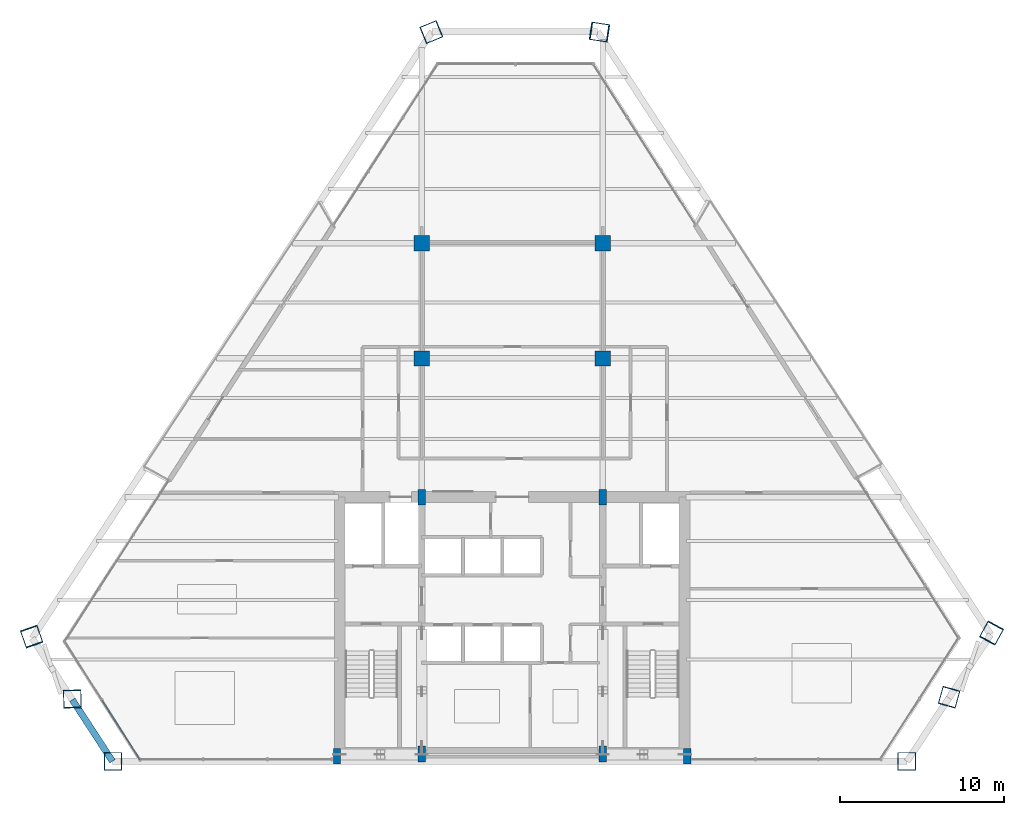
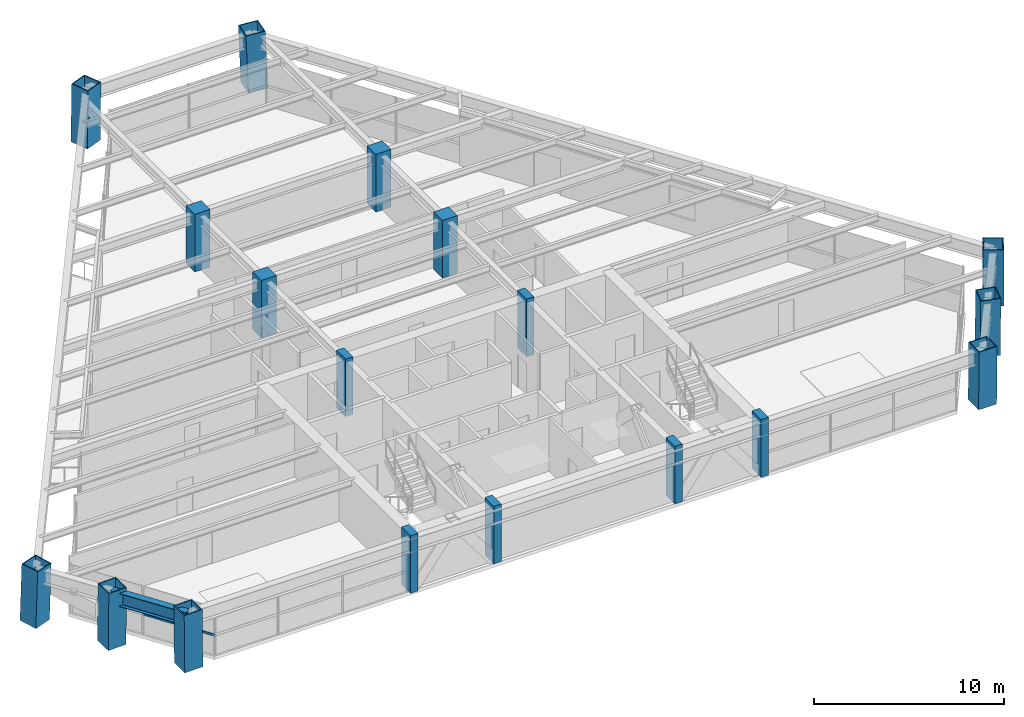
# One storey, part 1 of 15: 18 columns, 1 beam, 1 member, 1 element without a shape of its own.
"""IFC4 building model written with IfcOpenShell, lengths in metres."""

from ifc_helpers import new_model, si_unit, direction, frame, origin, origin_2d, place, context, subcontext, project, spatial, rectangle, hollow_rectangle, i_section, extrude, source, transform, mapped, material, material_profile, profile_set, type_object, element, aggregate, save


model = new_model("IFC4")

# Units and contexts
model_context = context("Model", 3, precision=1e-05, world=origin(), true_north=direction((0.0, 1.0)))
body_context = subcontext(model_context, "Body", "Model", "MODEL_VIEW")
ifc_project = project(units=[si_unit("LENGTHUNIT", "METRE"), si_unit("AREAUNIT", "SQUARE_METRE"), si_unit("VOLUMEUNIT", "CUBIC_METRE"), si_unit("PLANEANGLEUNIT", "RADIAN"), si_unit("MASSUNIT", "GRAM", prefix="KILO")], contexts=[model_context])

# Site, building, storey
site_placement = place(None, origin())
site = spatial("IfcSite", under=ifc_project, at=site_placement, CompositionType="ELEMENT")
building_placement = place(site_placement, origin())
building = spatial("IfcBuilding", under=site, at=building_placement, Name="Varnakhor Terracotta Tower", CompositionType="ELEMENT")
storey_placement = place(building_placement, frame((0.0, 0.0, 147.800048828125)))
storey = spatial("IfcBuildingStorey", under=building, at=storey_placement, Name="L37", CompositionType="ELEMENT", Elevation=147.800048828125)

# Columns
ifc_material_1 = material(Name="Concrete C50/60", Category="concrete")
ifc_material_profile_1 = material_profile(ifc_material_1, rectangle(XDim=0.449951171875, YDim=0.949951171875, at=origin_2d()), Name="RC PILASTER 950x450")
ifc_profile_set_1 = profile_set([ifc_material_profile_1], Name="Concrete C50/60")
column_type_1 = type_object("IfcColumnType", Name="COL-PIL-950x450", PredefinedType="PILASTER", material=ifc_profile_set_1)
shared_shape_1 = source(origin(), body_context, "Body", "SweptSolid", [
    extrude(rectangle(XDim=0.449951171875, YDim=0.949951171875, at=origin_2d()), origin(), (0.0, 0.0, 1.0), 3.699951171875),
])
for number, where, z_axis, x_axis, name in (
    (1, (-10.64990234375, 0.300048828125, 0.0), (0.0, 0.0, 1.0), (1.0, 0.0, 0.0), "L37 Core Pilaster CP1"),
    (2, (-5.5, 0.449951171875, 0.0), (0.0, 0.0, 1.0), (1.0, 0.0, 0.0), "L37 Core Pilaster CP2"),
    (3, (5.5, 0.449951171875, 0.0), (0.0, 0.0, 1.0), (1.0, 0.0, 0.0), "L37 Core Pilaster CP3"),
    (4, (10.64990234375, 0.300048828125, 0.0), (0.0, 0.0, 1.0), (1.0, 0.0, 0.0), "L37 Core Pilaster CP4"),
    (5, (-5.5, 16.050048828125, 0.0), (0.0, 0.0, 1.0), (1.0, 0.0, 0.0), "L37 Core Pilaster CP5"),
    (6, (5.5, 16.050048828125, 0.0), (0.0, 0.0, 1.0), (1.0, 0.0, 0.0), "L37 Core Pilaster CP6"),
):
    element("IfcColumn", number, at=place(storey_placement, frame(where, z_axis=z_axis, x_axis=x_axis)), inside=storey, type_object=column_type_1, Name=name, PredefinedType="PILASTER", context=body_context, shape_type="MappedRepresentation", body=[
        mapped(shared_shape_1, transform((0.0, 0.0, 0.0), scale=1.0)),
    ])
ifc_material_2 = material(Name="Steel S460", Category="steel")
ifc_material_profile_2 = material_profile(ifc_material_2, hollow_rectangle(XDim=1.10009765625, YDim=1.10009765625, WallThickness=0.054931640625, at=origin_2d()), Name="BOX 1100x1100x55")
ifc_profile_set_2 = profile_set([ifc_material_profile_2], Name="Steel S460")
column_type_2 = type_object("IfcColumnType", Name="COL-MEGA-1100", PredefinedType="COLUMN", material=ifc_profile_set_2)
shared_shape_2 = source(origin(), body_context, "Body", "SweptSolid", [
    extrude(hollow_rectangle(XDim=1.10009765625, YDim=1.10009765625, WallThickness=0.054931640625, at=origin_2d()), origin(), (0.0, 0.0, 1.0), 3.69140625),
])
for number, where, z_axis, x_axis, name in (
    (7, (-24.259765625, 0.0, 0.00439453125), (-0.010185330494, 0.0, 0.999948128176), (0.0, -1.0, 0.0), "L37 Perimeter Mega-Column M1"),
    (8, (23.976318359375, 0.0, 0.00439453125), (0.008135189482, 0.0, 0.999966908799), (0.0, 1.0, 0.0), "L37 Perimeter Mega-Column M2"),
):
    element("IfcColumn", number, at=place(storey_placement, frame(where, z_axis=z_axis, x_axis=x_axis)), inside=storey, type_object=column_type_2, Name=name, PredefinedType="COLUMN", context=body_context, shape_type="MappedRepresentation", body=[
        mapped(shared_shape_2, transform((0.0, 0.0, 0.0), scale=1.0)),
    ])
shared_shape_3 = source(origin(), body_context, "Body", "SweptSolid", [
    extrude(hollow_rectangle(XDim=1.10009765625, YDim=1.10009765625, WallThickness=0.054931640625, at=origin_2d()), origin(), (0.0, 0.0, 1.0), 3.691650390625),
])
for number, where, z_axis, x_axis, name in (
    (9, (26.562744140625, 3.909912109375, 0.00439453125), (-0.004232556551, -0.015210750106, 0.999875351505), (0.963397793095, -0.268075907644, 0.0), "L37 Perimeter Mega-Column M3"),
    (10, (-4.924072265625, 44.330810546875, 0.00439453125), (0.013623764967, 0.005555321637, 0.999891759857), (-0.377582435924, 0.925975973814, 0.0), "L37 Perimeter Mega-Column M6"),
    (11, (-26.740234375, 3.802001953125, 0.00439453125), (0.000462934236, -0.016004297866, 0.999871815855), (0.999581916595, 0.028913526513, 0.0), "L37 Perimeter Mega-Column M8"),
):
    element("IfcColumn", number, at=place(storey_placement, frame(where, z_axis=z_axis, x_axis=x_axis)), inside=storey, type_object=column_type_2, Name=name, PredefinedType="COLUMN", context=body_context, shape_type="MappedRepresentation", body=[
        mapped(shared_shape_3, transform((0.0, 0.0, 0.0), scale=1.0)),
    ])
shared_shape_4 = source(origin(), body_context, "Body", "SweptSolid", [
    extrude(hollow_rectangle(XDim=1.10009765625, YDim=1.10009765625, WallThickness=0.054931640625, at=origin_2d()), origin(), (0.0, 0.0, 1.0), 3.693359375),
])
for number, where, z_axis, x_axis, name in (
    (12, (29.1494140625, 7.81982421875, 0.00439453125), (-0.016657748139, -0.030407000571, 0.999398786143), (0.877019761318, -0.480454304026, 0.0), "L37 Perimeter Mega-Column M4"),
    (13, (-29.220947265625, 7.60400390625, 0.00439453125), (0.011237639329, -0.032060323969, 0.999422758941), (0.943706580852, 0.330783749989, 0.0), "L37 Perimeter Mega-Column M7"),
):
    element("IfcColumn", number, at=place(storey_placement, frame(where, z_axis=z_axis, x_axis=x_axis)), inside=storey, type_object=column_type_2, Name=name, PredefinedType="COLUMN", context=body_context, shape_type="MappedRepresentation", body=[
        mapped(shared_shape_4, transform((0.0, 0.0, 0.0), scale=1.0)),
    ])
ifc_material_profile_3 = material_profile(ifc_material_1, rectangle(XDim=0.919921875, YDim=0.919921875, at=origin_2d()), Name="RC 920x920")
ifc_profile_set_3 = profile_set([ifc_material_profile_3], Name="Concrete C50/60")
column_type_3 = type_object("IfcColumnType", Name="COL-RC-920", PredefinedType="COLUMN", material=ifc_profile_set_3)
shared_shape_5 = source(origin(), body_context, "Body", "SweptSolid", [
    extrude(rectangle(XDim=0.919921875, YDim=0.919921875, at=origin_2d()), origin(), (0.0, 0.0, 1.0), 3.699951171875),
])
for number, where, z_axis, x_axis, name in (
    (14, (-5.5, 24.5, 0.0), (0.0, 0.0, 1.0), (1.0, 0.0, 0.0), "L37 Interior Tower Column IC1"),
    (15, (5.5, 24.5, 0.0), (0.0, 0.0, 1.0), (1.0, 0.0, 0.0), "L37 Interior Tower Column IC2"),
    (16, (-5.5, 31.5, 0.0), (0.0, 0.0, 1.0), (1.0, 0.0, 0.0), "L37 Interior Tower Column IC3"),
    (17, (5.5, 31.5, 0.0), (0.0, 0.0, 1.0), (1.0, 0.0, 0.0), "L37 Interior Tower Column IC4"),
):
    element("IfcColumn", number, at=place(storey_placement, frame(where, z_axis=z_axis, x_axis=x_axis)), inside=storey, type_object=column_type_3, Name=name, PredefinedType="COLUMN", context=body_context, shape_type="MappedRepresentation", body=[
        mapped(shared_shape_5, transform((0.0, 0.0, 0.0), scale=1.0)),
    ])
shared_shape_6 = source(origin(), body_context, "Body", "SweptSolid", [
    extrude(hollow_rectangle(XDim=1.10009765625, YDim=1.10009765625, WallThickness=0.054931640625, at=origin_2d()), origin(), (0.0, 0.0, 1.0), 3.69384765625),
])
column_placement = place(storey_placement, frame((5.327880859375, 44.330810546875, 0.00439453125), z_axis=(-0.037475558103, 0.005551934534, 0.999282121609), x_axis=(-0.146548661089, -0.989203462354, 0.0)))
element("IfcColumn", 18, at=column_placement, inside=storey, type_object=column_type_2, Name="L37 Perimeter Mega-Column M5", PredefinedType="COLUMN", context=body_context, shape_type="MappedRepresentation", body=[
    mapped(shared_shape_6, transform((0.0, 0.0, 0.0), scale=1.0)),
])

# Beam
ifc_material_3 = material(Name="Steel S355", Category="steel")
ifc_material_profile_4 = material_profile(ifc_material_3, i_section(OverallWidth=0.39990234375, OverallDepth=0.85498046875, WebThickness=0.01806640625, FlangeThickness=0.029052734375, FilletRadius=0.01806640625, at=origin_2d()), Name="W33X201")
ifc_profile_set_4 = profile_set([ifc_material_profile_4], Name="Steel S355")
beam_type = type_object("IfcBeamType", Name="BM-W33X201", PredefinedType="BEAM", material=ifc_profile_set_4)
shared_shape_7 = source(origin(), body_context, "Body", "SweptSolid", [
    extrude(i_section(OverallWidth=0.39990234375, OverallDepth=0.85498046875, WebThickness=0.01806640625, FlangeThickness=0.029052734375, FilletRadius=0.01806640625, at=origin_2d()), origin(), (0.0, 0.0, 1.0), 4.46875),
])
beam_placement = place(storey_placement, frame((-26.738525390625, 3.742919921875, 3.04248046875), z_axis=(0.546287779132, -0.837597553943, 0.0), x_axis=(0.837597553943, 0.546287779132, 0.0)))
element("IfcBeam", 19, at=beam_placement, inside=storey, type_object=beam_type, Name="L37 Perimeter Spandrel 8", PredefinedType="BEAM", context=body_context, shape_type="MappedRepresentation", body=[
    mapped(shared_shape_7, transform((0.0, 0.0, 0.0), scale=1.0)),
])

# Curtain wall, member
ifc_material_4 = material(Name="Anodised Aluminium Curtain Wall System", Category="aluminium")
curtain_wall_type = type_object("IfcCurtainWallType", Name="CW-SYS-MID-OFFICE", PredefinedType="NOTDEFINED", material=ifc_material_4)
curtain_wall_placement = place(storey_placement, origin())
curtain_wall = element("IfcCurtainWall", 20, at=curtain_wall_placement, inside=storey, type_object=curtain_wall_type, Name="L37 Facet Curtain Wall 6", PredefinedType="NOTDEFINED")
ifc_material_5 = material(Name="Anodised Aluminium 6063-T6", Category="aluminium")
ifc_material_profile_5 = material_profile(ifc_material_5, rectangle(XDim=0.070068359375, YDim=0.155029296875, at=origin_2d()), Name="ALU TRANSOM 70x155")
ifc_profile_set_5 = profile_set([ifc_material_profile_5], Name="Anodised Aluminium 6063-T6")
member_type = type_object("IfcMemberType", Name="CWT-03", PredefinedType="USERDEFINED", material=ifc_profile_set_5)
shared_shape_8 = source(origin(), body_context, "Body", "SweptSolid", [
    extrude(rectangle(XDim=0.070068359375, YDim=0.155029296875, at=origin_2d()), origin(), (0.0, 0.0, 1.0), 4.291015625),
])
member_placement = place(storey_placement, frame((-22.616455078125, 0.089599609375, 1.281005859375), z_axis=(-0.536915987267, 0.843635716774, 0.0), x_axis=(-0.843635716774, -0.536915987267, 0.0)))
member = element("IfcMember", 21, at=member_placement, type_object=member_type, Name="L37 Facet Curtain Wall 6 Transom 1", ObjectType="TRANSOM", PredefinedType="USERDEFINED", context=body_context, shape_type="MappedRepresentation", body=[
    mapped(shared_shape_8, transform((0.0, 0.0, 0.0), scale=1.0)),
])
aggregate(curtain_wall, [member])

save(model, "model.ifc")
